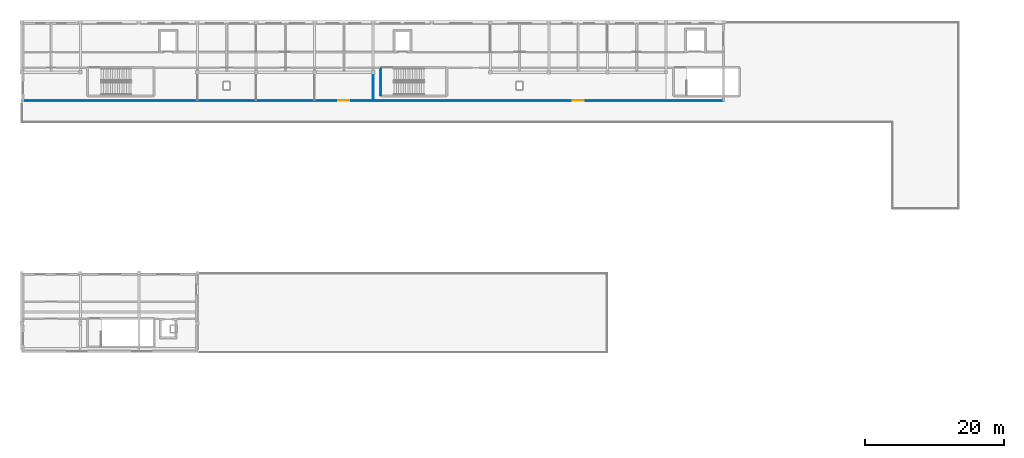
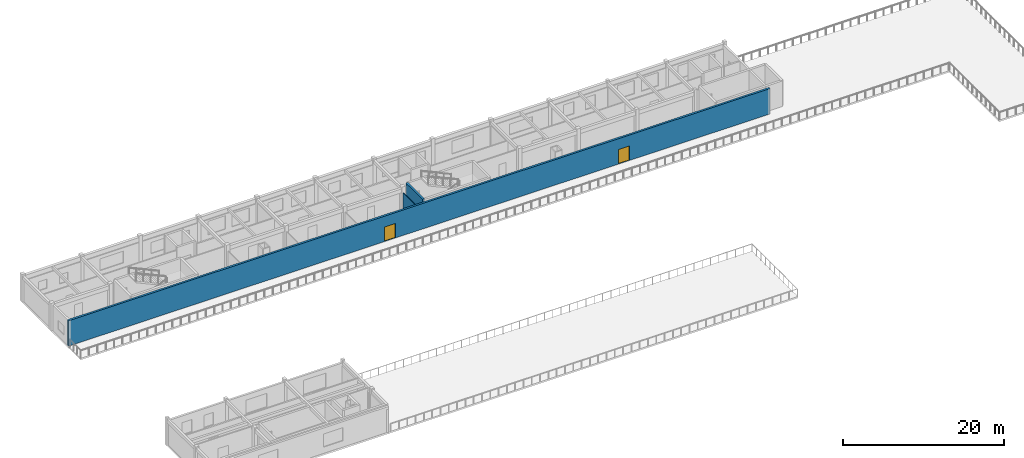
# One storey, part 6 of 14: 3 walls, 2 doors, 2 openings.
"""IFC4 building model written with IfcOpenShell, lengths in metres."""

from ifc_helpers import new_model, si_unit, direction, frame, frame_2d, origin, place, context, subcontext, project, spatial, rectangle, extrude, material, layer, layer_set, type_object, element, fill, save


model = new_model("IFC4")

# Units and contexts
model_context = context("Model", 3, precision=1e-05, world=origin(), true_north=direction((0.0, 1.0)))
body_context = subcontext(model_context, "Body", "Model", "MODEL_VIEW")
ifc_project = project(units=[si_unit("LENGTHUNIT", "METRE"), si_unit("AREAUNIT", "SQUARE_METRE"), si_unit("VOLUMEUNIT", "CUBIC_METRE"), si_unit("PLANEANGLEUNIT", "RADIAN"), si_unit("MASSUNIT", "GRAM", prefix="KILO")], contexts=[model_context])

# Site, building, storey
site_placement = place(None, origin())
site = spatial("IfcSite", under=ifc_project, at=site_placement, CompositionType="ELEMENT")
building_placement = place(site_placement, origin())
building = spatial("IfcBuilding", under=site, at=building_placement, Name="Malvenik Polytechnic", CompositionType="ELEMENT")
storey_placement = place(building_placement, frame((0.0, 0.0, 21.89990234375)))
storey = spatial("IfcBuildingStorey", under=building, at=storey_placement, Name="L05", CompositionType="ELEMENT", Elevation=21.89990234375)

# Wall
ifc_material_1 = material(Name="Concrete C35/45", Category="concrete")
ifc_layer_1 = layer(ifc_material_1, 0.300048828125)
ifc_layer_set_1 = layer_set([ifc_layer_1], Name="Concrete C35/45")
wall_type_1 = type_object("IfcWallType", Name="ARC-CW-S300", PredefinedType="SHEAR", material=ifc_layer_set_1)
wall_1_placement = place(storey_placement, frame((51.449951171875, 119.0, 0.0), z_axis=(0.0, 0.0, 1.0), x_axis=(0.0, 1.0, 0.0)))
element("IfcWall", 1, at=wall_1_placement, inside=storey, type_object=wall_type_1, Name="Stair Core Shear Wall ST-02 L05 NEAR", PredefinedType="SHEAR", context=body_context, shape_type="SweptSolid", body=[
    extrude(rectangle(XDim=4.10009765625, YDim=0.300048828125, at=frame_2d((2.050048828125, 0.0))), origin(), (0.0, 0.0, 1.0), 3.880126953125),
])

# Wall, openings, doors
ifc_material_2 = material(Name="Brick masonry M15", Category="masonry")
ifc_layer_2 = layer(ifc_material_2, 0.2900390625)
ifc_layer_set_2 = layer_set([ifc_layer_2], Name="Brick masonry M15")
wall_type_2 = type_object("IfcWallType", Name="ARC-EW-290", PredefinedType="SOLIDWALL", material=ifc_layer_set_2)
wall_2_placement = place(storey_placement, frame((100.800048828125, 118.3701171875, 0.0), z_axis=(0.0, 0.0, 1.0), x_axis=(-1.0, 0.0, 0.0)))
wall_2 = element("IfcWall", 2, at=wall_2_placement, inside=storey, type_object=wall_type_2, Name="External Facade Wall EW-04 L05 #482", PredefinedType="SOLIDWALL", context=body_context, shape_type="SweptSolid", body=[
    extrude(rectangle(XDim=100.800048828125, YDim=0.2900390625, at=frame_2d((50.39990234375, 0.0))), origin(), (0.0, 0.0, 1.0), 3.860107421875),
])
opening_1_placement = place(wall_2_placement, frame((53.800048828125, 0.0, 0.0)))
opening_1 = element("IfcOpeningElement", 3, at=opening_1_placement, cuts=wall_2, Name="Opening TD-02", PredefinedType="OPENING", context=body_context, shape_type="SweptSolid", body=[
    extrude(rectangle(XDim=1.60009765625, YDim=2.199951171875, at=frame_2d((0.800048828125, 1.10009765625))), frame((0.0, 0.155029296875, 0.0), z_axis=(0.0, -1.0, 0.0), x_axis=(1.0, 0.0, 0.0)), (0.0, 0.0, 1.0), 0.31005859375),
])
opening_2_placement = place(wall_2_placement, frame((20.199951171875, 0.0, 0.0)))
opening_2 = element("IfcOpeningElement", 4, at=opening_2_placement, cuts=wall_2, Name="Opening TD-02", PredefinedType="OPENING", context=body_context, shape_type="SweptSolid", body=[
    extrude(rectangle(XDim=1.60009765625, YDim=2.199951171875, at=frame_2d((0.800048828125, 1.10009765625))), frame((0.0, 0.155029296875, 0.0), z_axis=(0.0, -1.0, 0.0), x_axis=(1.0, 0.0, 0.0)), (0.0, 0.0, 1.0), 0.31005859375),
])
ifc_material_3 = material(Name="Thermally broken glazed aluminium terrace door", Category="aluminium")
door_type = type_object("IfcDoorType", Name="ARC-EDR-TD-02", OperationType="NOTDEFINED", PredefinedType="DOOR", material=ifc_material_3)
door_1_placement = place(opening_1_placement, origin())
door_1 = element("IfcDoor", 5, at=door_1_placement, inside=storey, type_object=door_type, Name="External Door TD-02 L05 #47", OperationType="DOUBLE_DOOR_SINGLE_SWING", OverallHeight=2.199951171875, OverallWidth=1.60009765625, PredefinedType="DOOR", context=body_context, shape_type="SweptSolid", body=[
    extrude(rectangle(XDim=1.60009765625, YDim=2.199951171875, at=frame_2d((0.800048828125, 1.10009765625))), frame((0.0, 0.02490234375, 0.0), z_axis=(0.0, -1.0, 0.0), x_axis=(1.0, 0.0, 0.0)), (0.0, 0.0, 1.0), 0.050048828125),
])
fill(opening_1, door_1)
door_2_placement = place(opening_2_placement, origin())
door_2 = element("IfcDoor", 6, at=door_2_placement, inside=storey, type_object=door_type, Name="External Door TD-02 L05 #48", OperationType="DOUBLE_DOOR_SINGLE_SWING", OverallHeight=2.199951171875, OverallWidth=1.60009765625, PredefinedType="DOOR", context=body_context, shape_type="SweptSolid", body=[
    extrude(rectangle(XDim=1.60009765625, YDim=2.199951171875, at=frame_2d((0.800048828125, 1.10009765625))), frame((0.0, 0.02490234375, 0.0), z_axis=(0.0, -1.0, 0.0), x_axis=(1.0, 0.0, 0.0)), (0.0, 0.0, 1.0), 0.050048828125),
])
fill(opening_2, door_2)

# Wall
ifc_material_4 = material(Name="Lightweight gypsum partition 110mm", Category="gypsum")
ifc_layer_3 = layer(ifc_material_4, 0.110107421875)
ifc_layer_set_3 = layer_set([ifc_layer_3], Name="Lightweight gypsum partition 110mm")
wall_type_3 = type_object("IfcWallType", Name="ARC-PW-110", PredefinedType="PARTITIONING", material=ifc_layer_set_3)
wall_3_placement = place(storey_placement, frame((50.39990234375, 118.419921875, 0.0), z_axis=(0.0, 0.0, 1.0), x_axis=(0.0, 1.0, 0.0)))
element("IfcWall", 7, at=wall_3_placement, inside=storey, type_object=wall_type_3, Name="Interior Partition PW-04I L05 #410", PredefinedType="PARTITIONING", context=body_context, shape_type="SweptSolid", body=[
    extrude(rectangle(XDim=3.7099609375, YDim=0.110107421875, at=frame_2d((1.85498046875, 0.0))), origin(), (0.0, 0.0, 1.0), 3.30517578125),
])

save(model, "model.ifc")
